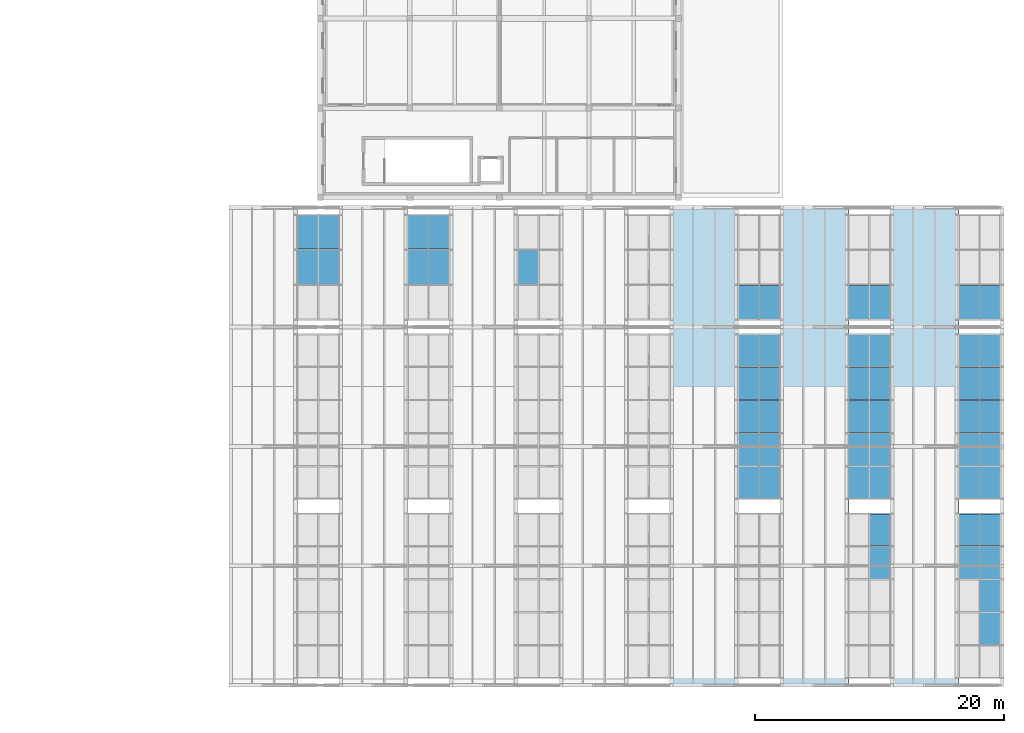
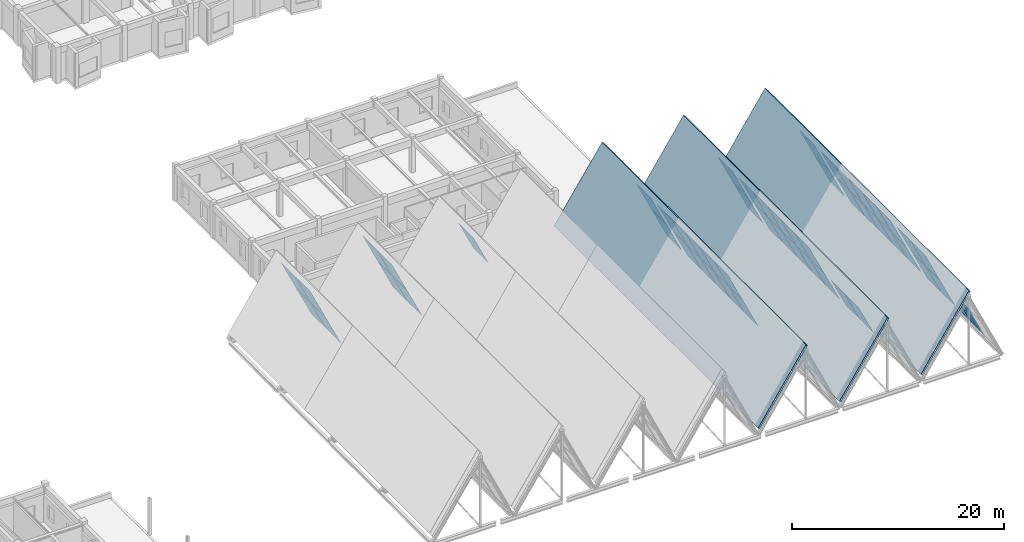
# One storey, part 71 of 99: 53 plates, 3 slabs, 11 elements without a shape of their own.
"""IFC4 building model written with IfcOpenShell, lengths in metres."""

from ifc_helpers import new_model, si_unit, direction, frame, origin, place, context, subcontext, project, spatial, polyline, outline, extrude, material, layer, layer_set, type_object, element, aggregate, save


model = new_model("IFC4")

# Units and contexts
model_context = context("Model", 3, precision=1e-05, world=origin(), true_north=direction((0.0, 1.0)))
body_context = subcontext(model_context, "Body", "Model", "MODEL_VIEW")
ifc_project = project(units=[si_unit("LENGTHUNIT", "METRE"), si_unit("AREAUNIT", "SQUARE_METRE"), si_unit("VOLUMEUNIT", "CUBIC_METRE"), si_unit("PLANEANGLEUNIT", "RADIAN"), si_unit("MASSUNIT", "GRAM", prefix="KILO")], contexts=[model_context])

# Site, building, storey
site_placement = place(None, origin())
site = spatial("IfcSite", under=ifc_project, at=site_placement, CompositionType="ELEMENT")
building_placement = place(site_placement, origin())
building = spatial("IfcBuilding", under=site, at=building_placement, Name="Bramveld Media Centre", CompositionType="ELEMENT")
storey_placement = place(building_placement, frame((0.0, 0.0, 13.800048828125)))
storey = spatial("IfcBuildingStorey", under=building, at=storey_placement, Name="L03", CompositionType="ELEMENT", Elevation=13.800048828125)

# Curtain wall, plates
ifc_material_1 = material(Name="Thermally broken anodized bronze aluminium unitized curtain wall with solar-control triple glazing", Category="aluminium")
curtain_wall_type_1 = type_object("IfcCurtainWallType", Name="CW-SAW-8500x8606", PredefinedType="NOTDEFINED", material=ifc_material_1)
curtain_wall_1_placement = place(storey_placement, origin())
curtain_wall_1 = element("IfcCurtainWall", 1, at=curtain_wall_1_placement, inside=storey, type_object=curtain_wall_type_1, Name="V1 sawtooth north-light clerestory B1-S3", PredefinedType="NOTDEFINED")
ifc_material_2 = material(Name="Solar-control triple insulating safety glass unit", Category="glass")
ifc_layer_1 = layer(ifc_material_2, 0.028076171875)
ifc_layer_set_1 = layer_set([ifc_layer_1], Name="Solar-control triple insulating safety glass unit")
plate_type = type_object("IfcPlateType", Name="CW-PAN-SLP", PredefinedType="CURTAIN_PANEL", material=ifc_layer_set_1)
plate_1_placement = place(storey_placement, frame((132.69677734375, 32.21826171875, 0.322509765625), z_axis=(0.9056675867, 0.0, 0.423988469657), x_axis=(0.0, 1.0, 0.0)))
plate_1 = element("IfcPlate", 2, at=plate_1_placement, type_object=plate_type, Name="CW-SA-8586 glass panel 2.1", PredefinedType="CURTAIN_PANEL", context=body_context, shape_type="SweptSolid", body=[
    extrude(outline(polyline([(0.0, 0.0), (2.763427734375, 0.0), (2.763427734375, 3.8764136412276113), (0.0, 3.8764136412276113), (0.0, 0.0)])), origin(), (0.0, 0.0, -1.0), 0.028076171875),
])
plate_2_placement = place(storey_placement, frame((131.023681640625, 32.21826171875, 3.896728515625), z_axis=(0.9056675867, 0.0, 0.423988469657), x_axis=(0.0, 1.0, 0.0)))
plate_2 = element("IfcPlate", 3, at=plate_2_placement, type_object=plate_type, Name="CW-SA-8586 glass panel 2.2", PredefinedType="CURTAIN_PANEL", context=body_context, shape_type="SweptSolid", body=[
    extrude(outline(polyline([(0.0, 0.0), (2.763427734375, 0.0), (2.763427734375, 3.8764136412276113), (0.0, 3.8764136412276113), (0.0, 0.0)])), origin(), (0.0, 0.0, -1.0), 0.028076171875),
])
plate_3_placement = place(storey_placement, frame((132.69677734375, 35.0517578125, 0.322509765625), z_axis=(0.9056675867, 0.0, 0.423988469657), x_axis=(0.0, 1.0, 0.0)))
plate_3 = element("IfcPlate", 4, at=plate_3_placement, type_object=plate_type, Name="CW-SA-8586 glass panel 3.1", PredefinedType="CURTAIN_PANEL", context=body_context, shape_type="SweptSolid", body=[
    extrude(outline(polyline([(0.0, 0.0), (2.728271484375, 0.0), (2.728271484375, 3.8764136412276113), (0.0, 3.8764136412276113), (0.0, 0.0)])), origin(), (0.0, 0.0, -1.0), 0.028076171875),
])
plate_4_placement = place(storey_placement, frame((131.023681640625, 35.0517578125, 3.896728515625), z_axis=(0.9056675867, 0.0, 0.423988469657), x_axis=(0.0, 1.0, 0.0)))
plate_4 = element("IfcPlate", 5, at=plate_4_placement, type_object=plate_type, Name="CW-SA-8586 glass panel 3.2", PredefinedType="CURTAIN_PANEL", context=body_context, shape_type="SweptSolid", body=[
    extrude(outline(polyline([(0.0, 0.0), (2.728271484375, 0.0), (2.728271484375, 3.8764136412276113), (0.0, 3.8764136412276113), (0.0, 0.0)])), origin(), (0.0, 0.0, -1.0), 0.028076171875),
])
aggregate(curtain_wall_1, [plate_1, plate_2, plate_3, plate_4])

curtain_wall_2_placement = place(storey_placement, origin())
curtain_wall_2 = element("IfcCurtainWall", 6, at=curtain_wall_2_placement, inside=storey, type_object=curtain_wall_type_1, Name="V1 sawtooth north-light clerestory B2-S3", PredefinedType="NOTDEFINED")
plate_5_placement = place(storey_placement, frame((141.553955078125, 32.21826171875, 0.322509765625), z_axis=(0.9056675867, 0.0, 0.423988469657), x_axis=(0.0, 1.0, 0.0)))
plate_5 = element("IfcPlate", 7, at=plate_5_placement, type_object=plate_type, Name="CW-SA-8586 glass panel 2.1", PredefinedType="CURTAIN_PANEL", context=body_context, shape_type="SweptSolid", body=[
    extrude(outline(polyline([(0.0, 0.0), (2.763427734375, 0.0), (2.763427734375, 3.8764136412276113), (0.0, 3.8764136412276113), (0.0, 0.0)])), origin(), (0.0, 0.0, -1.0), 0.028076171875),
])
plate_6_placement = place(storey_placement, frame((139.880859375, 32.21826171875, 3.896728515625), z_axis=(0.9056675867, 0.0, 0.423988469657), x_axis=(0.0, 1.0, 0.0)))
plate_6 = element("IfcPlate", 8, at=plate_6_placement, type_object=plate_type, Name="CW-SA-8586 glass panel 2.2", PredefinedType="CURTAIN_PANEL", context=body_context, shape_type="SweptSolid", body=[
    extrude(outline(polyline([(0.0, 0.0), (2.763427734375, 0.0), (2.763427734375, 3.8764136412276113), (0.0, 3.8764136412276113), (0.0, 0.0)])), origin(), (0.0, 0.0, -1.0), 0.028076171875),
])
plate_7_placement = place(storey_placement, frame((141.553955078125, 35.0517578125, 0.322509765625), z_axis=(0.9056675867, 0.0, 0.423988469657), x_axis=(0.0, 1.0, 0.0)))
plate_7 = element("IfcPlate", 9, at=plate_7_placement, type_object=plate_type, Name="CW-SA-8586 glass panel 3.1", PredefinedType="CURTAIN_PANEL", context=body_context, shape_type="SweptSolid", body=[
    extrude(outline(polyline([(0.0, 0.0), (2.728271484375, 0.0), (2.728271484375, 3.8764136412276113), (0.0, 3.8764136412276113), (0.0, 0.0)])), origin(), (0.0, 0.0, -1.0), 0.028076171875),
])
plate_8_placement = place(storey_placement, frame((139.880859375, 35.0517578125, 3.896728515625), z_axis=(0.9056675867, 0.0, 0.423988469657), x_axis=(0.0, 1.0, 0.0)))
plate_8 = element("IfcPlate", 10, at=plate_8_placement, type_object=plate_type, Name="CW-SA-8586 glass panel 3.2", PredefinedType="CURTAIN_PANEL", context=body_context, shape_type="SweptSolid", body=[
    extrude(outline(polyline([(0.0, 0.0), (2.728271484375, 0.0), (2.728271484375, 3.8764136412276113), (0.0, 3.8764136412276113), (0.0, 0.0)])), origin(), (0.0, 0.0, -1.0), 0.028076171875),
])
aggregate(curtain_wall_2, [plate_5, plate_6, plate_7, plate_8])

# Curtain wall, plate
curtain_wall_3_placement = place(storey_placement, origin())
curtain_wall_3 = element("IfcCurtainWall", 11, at=curtain_wall_3_placement, inside=storey, type_object=curtain_wall_type_1, Name="V1 sawtooth north-light clerestory B3-S3", PredefinedType="NOTDEFINED")
plate_9_placement = place(storey_placement, frame((148.738037109375, 32.21826171875, 3.896728515625), z_axis=(0.9056675867, 0.0, 0.423988469657), x_axis=(0.0, 1.0, 0.0)))
plate_9 = element("IfcPlate", 12, at=plate_9_placement, type_object=plate_type, Name="CW-SA-8586 glass panel 2.2", PredefinedType="CURTAIN_PANEL", context=body_context, shape_type="SweptSolid", body=[
    extrude(outline(polyline([(0.0, 0.0), (2.763427734375, 0.0), (2.763427734375, 3.8764136412276113), (0.0, 3.8764136412276113), (0.0, 0.0)])), origin(), (0.0, 0.0, -1.0), 0.028076171875),
])
aggregate(curtain_wall_3, [plate_9])

# Curtain wall, plates
ifc_material_3 = material(Name="Thermally broken anodized bronze aluminium unitized curtain wall with solar-control triple glazing", Category="aluminium")
curtain_wall_type_2 = type_object("IfcCurtainWallType", Name="CW-SAW-13300x8606", PredefinedType="NOTDEFINED", material=ifc_material_3)
curtain_wall_4_placement = place(storey_placement, origin())
curtain_wall_4 = element("IfcCurtainWall", 13, at=curtain_wall_4_placement, inside=storey, type_object=curtain_wall_type_2, Name="V1 sawtooth north-light clerestory B5-S2", PredefinedType="NOTDEFINED")
plate_10_placement = place(storey_placement, frame((168.12548828125, 15.02001953125, 0.322509765625), z_axis=(0.9056675867, 0.0, 0.423988469657), x_axis=(0.0, 1.0, 0.0)))
plate_10 = element("IfcPlate", 14, at=plate_10_placement, type_object=plate_type, Name="CW-SA-13386 glass panel 1.1", PredefinedType="CURTAIN_PANEL", context=body_context, shape_type="SweptSolid", body=[
    extrude(outline(polyline([(0.0, 0.0), (2.554931640625, 0.0), (2.554931640625, 3.8764136412276113), (0.0, 3.8764136412276113), (0.0, 0.0)])), origin(), (0.0, 0.0, -1.0), 0.028076171875),
])
plate_11_placement = place(storey_placement, frame((166.452392578125, 15.02001953125, 3.896728515625), z_axis=(0.9056675867, 0.0, 0.423988469657), x_axis=(0.0, 1.0, 0.0)))
plate_11 = element("IfcPlate", 15, at=plate_11_placement, type_object=plate_type, Name="CW-SA-13386 glass panel 1.2", PredefinedType="CURTAIN_PANEL", context=body_context, shape_type="SweptSolid", body=[
    extrude(outline(polyline([(0.0, 0.0), (2.554931640625, 0.0), (2.554931640625, 3.8764136412276113), (0.0, 3.8764136412276113), (0.0, 0.0)])), origin(), (0.0, 0.0, -1.0), 0.028076171875),
])
plate_12_placement = place(storey_placement, frame((168.12548828125, 17.64501953125, 0.322509765625), z_axis=(0.9056675867, 0.0, 0.423988469657), x_axis=(0.0, 1.0, 0.0)))
plate_12 = element("IfcPlate", 16, at=plate_12_placement, type_object=plate_type, Name="CW-SA-13386 glass panel 2.1", PredefinedType="CURTAIN_PANEL", context=body_context, shape_type="SweptSolid", body=[
    extrude(outline(polyline([(0.0, 0.0), (2.590087890625, 0.0), (2.590087890625, 3.876413641227611), (0.0, 3.876413641227611), (0.0, 0.0)])), origin(), (0.0, 0.0, -1.0), 0.028076171875),
])
plate_13_placement = place(storey_placement, frame((166.452392578125, 17.64501953125, 3.896728515625), z_axis=(0.9056675867, 0.0, 0.423988469657), x_axis=(0.0, 1.0, 0.0)))
plate_13 = element("IfcPlate", 17, at=plate_13_placement, type_object=plate_type, Name="CW-SA-13386 glass panel 2.2", PredefinedType="CURTAIN_PANEL", context=body_context, shape_type="SweptSolid", body=[
    extrude(outline(polyline([(0.0, 0.0), (2.590087890625, 0.0), (2.590087890625, 3.876413641227611), (0.0, 3.876413641227611), (0.0, 0.0)])), origin(), (0.0, 0.0, -1.0), 0.028076171875),
])
plate_14_placement = place(storey_placement, frame((168.12548828125, 20.304931640625, 0.322509765625), z_axis=(0.9056675867, 0.0, 0.423988469657), x_axis=(0.0, 1.0, 0.0)))
plate_14 = element("IfcPlate", 18, at=plate_14_placement, type_object=plate_type, Name="CW-SA-13386 glass panel 3.1", PredefinedType="CURTAIN_PANEL", context=body_context, shape_type="SweptSolid", body=[
    extrude(outline(polyline([(0.0, 0.0), (2.590087890625, 0.0), (2.590087890625, 3.876413641227611), (0.0, 3.876413641227611), (0.0, 0.0)])), origin(), (0.0, 0.0, -1.0), 0.028076171875),
])
plate_15_placement = place(storey_placement, frame((166.452392578125, 20.304931640625, 3.896728515625), z_axis=(0.9056675867, 0.0, 0.423988469657), x_axis=(0.0, 1.0, 0.0)))
plate_15 = element("IfcPlate", 19, at=plate_15_placement, type_object=plate_type, Name="CW-SA-13386 glass panel 3.2", PredefinedType="CURTAIN_PANEL", context=body_context, shape_type="SweptSolid", body=[
    extrude(outline(polyline([(0.0, 0.0), (2.590087890625, 0.0), (2.590087890625, 3.876413641227611), (0.0, 3.876413641227611), (0.0, 0.0)])), origin(), (0.0, 0.0, -1.0), 0.028076171875),
])
plate_16_placement = place(storey_placement, frame((168.12548828125, 22.965087890625, 0.322509765625), z_axis=(0.9056675867, 0.0, 0.423988469657), x_axis=(0.0, 1.0, 0.0)))
plate_16 = element("IfcPlate", 20, at=plate_16_placement, type_object=plate_type, Name="CW-SA-13386 glass panel 4.1", PredefinedType="CURTAIN_PANEL", context=body_context, shape_type="SweptSolid", body=[
    extrude(outline(polyline([(0.0, 0.0), (2.58984375, 0.0), (2.58984375, 3.876413641227611), (0.0, 3.876413641227611), (0.0, 0.0)])), origin(), (0.0, 0.0, -1.0), 0.028076171875),
])
plate_17_placement = place(storey_placement, frame((166.452392578125, 22.965087890625, 3.896728515625), z_axis=(0.9056675867, 0.0, 0.423988469657), x_axis=(0.0, 1.0, 0.0)))
plate_17 = element("IfcPlate", 21, at=plate_17_placement, type_object=plate_type, Name="CW-SA-13386 glass panel 4.2", PredefinedType="CURTAIN_PANEL", context=body_context, shape_type="SweptSolid", body=[
    extrude(outline(polyline([(0.0, 0.0), (2.58984375, 0.0), (2.58984375, 3.876413641227611), (0.0, 3.876413641227611), (0.0, 0.0)])), origin(), (0.0, 0.0, -1.0), 0.028076171875),
])
plate_18_placement = place(storey_placement, frame((168.12548828125, 25.625, 0.322509765625), z_axis=(0.9056675867, 0.0, 0.423988469657), x_axis=(0.0, 1.0, 0.0)))
plate_18 = element("IfcPlate", 22, at=plate_18_placement, type_object=plate_type, Name="CW-SA-13386 glass panel 5.1", PredefinedType="CURTAIN_PANEL", context=body_context, shape_type="SweptSolid", body=[
    extrude(outline(polyline([(0.0, 0.0), (2.554931640625, 0.0), (2.554931640625, 3.8764136412276113), (0.0, 3.8764136412276113), (0.0, 0.0)])), origin(), (0.0, 0.0, -1.0), 0.028076171875),
])
plate_19_placement = place(storey_placement, frame((166.452392578125, 25.625, 3.896728515625), z_axis=(0.9056675867, 0.0, 0.423988469657), x_axis=(0.0, 1.0, 0.0)))
plate_19 = element("IfcPlate", 23, at=plate_19_placement, type_object=plate_type, Name="CW-SA-13386 glass panel 5.2", PredefinedType="CURTAIN_PANEL", context=body_context, shape_type="SweptSolid", body=[
    extrude(outline(polyline([(0.0, 0.0), (2.554931640625, 0.0), (2.554931640625, 3.8764136412276113), (0.0, 3.8764136412276113), (0.0, 0.0)])), origin(), (0.0, 0.0, -1.0), 0.028076171875),
])
aggregate(curtain_wall_4, [plate_10, plate_11, plate_12, plate_13, plate_14, plate_15, plate_16, plate_17, plate_18, plate_19])

curtain_wall_5_placement = place(storey_placement, origin())
curtain_wall_5 = element("IfcCurtainWall", 24, at=curtain_wall_5_placement, inside=storey, type_object=curtain_wall_type_1, Name="V1 sawtooth north-light clerestory B5-S3", PredefinedType="NOTDEFINED")
plate_20_placement = place(storey_placement, frame((168.12548828125, 29.419921875, 0.322509765625), z_axis=(0.9056675867, 0.0, 0.423988469657), x_axis=(0.0, 1.0, 0.0)))
plate_20 = element("IfcPlate", 25, at=plate_20_placement, type_object=plate_type, Name="CW-SA-8586 glass panel 1.1", PredefinedType="CURTAIN_PANEL", context=body_context, shape_type="SweptSolid", body=[
    extrude(outline(polyline([(0.0, 0.0), (2.728271484375, 0.0), (2.728271484375, 3.8764136412276113), (0.0, 3.8764136412276113), (0.0, 0.0)])), origin(), (0.0, 0.0, -1.0), 0.028076171875),
])
plate_21_placement = place(storey_placement, frame((166.452392578125, 29.419921875, 3.896728515625), z_axis=(0.9056675867, 0.0, 0.423988469657), x_axis=(0.0, 1.0, 0.0)))
plate_21 = element("IfcPlate", 26, at=plate_21_placement, type_object=plate_type, Name="CW-SA-8586 glass panel 1.2", PredefinedType="CURTAIN_PANEL", context=body_context, shape_type="SweptSolid", body=[
    extrude(outline(polyline([(0.0, 0.0), (2.728271484375, 0.0), (2.728271484375, 3.8764136412276113), (0.0, 3.8764136412276113), (0.0, 0.0)])), origin(), (0.0, 0.0, -1.0), 0.028076171875),
])
aggregate(curtain_wall_5, [plate_20, plate_21])

curtain_wall_6_placement = place(storey_placement, origin())
curtain_wall_6 = element("IfcCurtainWall", 27, at=curtain_wall_6_placement, inside=storey, type_object=curtain_wall_type_2, Name="V1 sawtooth north-light clerestory B6-S1", PredefinedType="NOTDEFINED")
plate_22_placement = place(storey_placement, frame((176.982666015625, 8.56494140625, 0.322509765625), z_axis=(0.9056675867, 0.0, 0.423988469657), x_axis=(0.0, 1.0, 0.0)))
plate_22 = element("IfcPlate", 28, at=plate_22_placement, type_object=plate_type, Name="CW-SA-13386 glass panel 4.1", PredefinedType="CURTAIN_PANEL", context=body_context, shape_type="SweptSolid", body=[
    extrude(outline(polyline([(0.0, 0.0), (2.590087890625, 0.0), (2.590087890625, 3.876413641227611), (0.0, 3.876413641227611), (0.0, 0.0)])), origin(), (0.0, 0.0, -1.0), 0.028076171875),
])
plate_23_placement = place(storey_placement, frame((176.982666015625, 11.22509765625, 0.322509765625), z_axis=(0.9056675867, 0.0, 0.423988469657), x_axis=(0.0, 1.0, 0.0)))
plate_23 = element("IfcPlate", 29, at=plate_23_placement, type_object=plate_type, Name="CW-SA-13386 glass panel 5.1", PredefinedType="CURTAIN_PANEL", context=body_context, shape_type="SweptSolid", body=[
    extrude(outline(polyline([(0.0, 0.0), (2.554931640625, 0.0), (2.554931640625, 3.8764136412276113), (0.0, 3.8764136412276113), (0.0, 0.0)])), origin(), (0.0, 0.0, -1.0), 0.028076171875),
])
aggregate(curtain_wall_6, [plate_22, plate_23])

curtain_wall_7_placement = place(storey_placement, origin())
curtain_wall_7 = element("IfcCurtainWall", 30, at=curtain_wall_7_placement, inside=storey, type_object=curtain_wall_type_2, Name="V1 sawtooth north-light clerestory B6-S2", PredefinedType="NOTDEFINED")
plate_24_placement = place(storey_placement, frame((176.982666015625, 15.02001953125, 0.322509765625), z_axis=(0.9056675867, 0.0, 0.423988469657), x_axis=(0.0, 1.0, 0.0)))
plate_24 = element("IfcPlate", 31, at=plate_24_placement, type_object=plate_type, Name="CW-SA-13386 glass panel 1.1", PredefinedType="CURTAIN_PANEL", context=body_context, shape_type="SweptSolid", body=[
    extrude(outline(polyline([(0.0, 0.0), (2.554931640625, 0.0), (2.554931640625, 3.8764136412276113), (0.0, 3.8764136412276113), (0.0, 0.0)])), origin(), (0.0, 0.0, -1.0), 0.028076171875),
])
plate_25_placement = place(storey_placement, frame((175.309326171875, 15.02001953125, 3.896728515625), z_axis=(0.905691770132, 0.0, 0.423936808398), x_axis=(0.0, 1.0, 0.0)))
plate_25 = element("IfcPlate", 32, at=plate_25_placement, type_object=plate_type, Name="CW-SA-13386 glass panel 1.2", PredefinedType="CURTAIN_PANEL", context=body_context, shape_type="SweptSolid", body=[
    extrude(outline(polyline([(0.0, 0.0), (2.554931640625, 0.0), (2.554931640625, 3.876310134723858), (0.0, 3.876310134723858), (0.0, 0.0)])), origin(), (0.0, 0.0, -1.0), 0.028076171875),
])
plate_26_placement = place(storey_placement, frame((176.982666015625, 17.64501953125, 0.322509765625), z_axis=(0.9056675867, 0.0, 0.423988469657), x_axis=(0.0, 1.0, 0.0)))
plate_26 = element("IfcPlate", 33, at=plate_26_placement, type_object=plate_type, Name="CW-SA-13386 glass panel 2.1", PredefinedType="CURTAIN_PANEL", context=body_context, shape_type="SweptSolid", body=[
    extrude(outline(polyline([(0.0, 0.0), (2.590087890625, 0.0), (2.590087890625, 3.876413641227611), (0.0, 3.876413641227611), (0.0, 0.0)])), origin(), (0.0, 0.0, -1.0), 0.028076171875),
])
plate_27_placement = place(storey_placement, frame((175.309326171875, 17.64501953125, 3.896728515625), z_axis=(0.905691770132, 0.0, 0.423936808398), x_axis=(0.0, 1.0, 0.0)))
plate_27 = element("IfcPlate", 34, at=plate_27_placement, type_object=plate_type, Name="CW-SA-13386 glass panel 2.2", PredefinedType="CURTAIN_PANEL", context=body_context, shape_type="SweptSolid", body=[
    extrude(outline(polyline([(0.0, 0.0), (2.590087890625, 0.0), (2.590087890625, 3.876310134723858), (0.0, 3.876310134723858), (0.0, 0.0)])), origin(), (0.0, 0.0, -1.0), 0.028076171875),
])
plate_28_placement = place(storey_placement, frame((176.982666015625, 20.304931640625, 0.322509765625), z_axis=(0.9056675867, 0.0, 0.423988469657), x_axis=(0.0, 1.0, 0.0)))
plate_28 = element("IfcPlate", 35, at=plate_28_placement, type_object=plate_type, Name="CW-SA-13386 glass panel 3.1", PredefinedType="CURTAIN_PANEL", context=body_context, shape_type="SweptSolid", body=[
    extrude(outline(polyline([(0.0, 0.0), (2.590087890625, 0.0), (2.590087890625, 3.876413641227611), (0.0, 3.876413641227611), (0.0, 0.0)])), origin(), (0.0, 0.0, -1.0), 0.028076171875),
])
plate_29_placement = place(storey_placement, frame((175.309326171875, 20.304931640625, 3.896728515625), z_axis=(0.905691770132, 0.0, 0.423936808398), x_axis=(0.0, 1.0, 0.0)))
plate_29 = element("IfcPlate", 36, at=plate_29_placement, type_object=plate_type, Name="CW-SA-13386 glass panel 3.2", PredefinedType="CURTAIN_PANEL", context=body_context, shape_type="SweptSolid", body=[
    extrude(outline(polyline([(0.0, 0.0), (2.590087890625, 0.0), (2.590087890625, 3.876310134723858), (0.0, 3.876310134723858), (0.0, 0.0)])), origin(), (0.0, 0.0, -1.0), 0.028076171875),
])
plate_30_placement = place(storey_placement, frame((176.982666015625, 22.965087890625, 0.322509765625), z_axis=(0.9056675867, 0.0, 0.423988469657), x_axis=(0.0, 1.0, 0.0)))
plate_30 = element("IfcPlate", 37, at=plate_30_placement, type_object=plate_type, Name="CW-SA-13386 glass panel 4.1", PredefinedType="CURTAIN_PANEL", context=body_context, shape_type="SweptSolid", body=[
    extrude(outline(polyline([(0.0, 0.0), (2.58984375, 0.0), (2.58984375, 3.876413641227611), (0.0, 3.876413641227611), (0.0, 0.0)])), origin(), (0.0, 0.0, -1.0), 0.028076171875),
])
plate_31_placement = place(storey_placement, frame((175.309326171875, 22.965087890625, 3.896728515625), z_axis=(0.905691770132, 0.0, 0.423936808398), x_axis=(0.0, 1.0, 0.0)))
plate_31 = element("IfcPlate", 38, at=plate_31_placement, type_object=plate_type, Name="CW-SA-13386 glass panel 4.2", PredefinedType="CURTAIN_PANEL", context=body_context, shape_type="SweptSolid", body=[
    extrude(outline(polyline([(0.0, 0.0), (2.58984375, 0.0), (2.58984375, 3.876310134723858), (0.0, 3.876310134723858), (0.0, 0.0)])), origin(), (0.0, 0.0, -1.0), 0.028076171875),
])
plate_32_placement = place(storey_placement, frame((176.982666015625, 25.625, 0.322509765625), z_axis=(0.9056675867, 0.0, 0.423988469657), x_axis=(0.0, 1.0, 0.0)))
plate_32 = element("IfcPlate", 39, at=plate_32_placement, type_object=plate_type, Name="CW-SA-13386 glass panel 5.1", PredefinedType="CURTAIN_PANEL", context=body_context, shape_type="SweptSolid", body=[
    extrude(outline(polyline([(0.0, 0.0), (2.554931640625, 0.0), (2.554931640625, 3.8764136412276113), (0.0, 3.8764136412276113), (0.0, 0.0)])), origin(), (0.0, 0.0, -1.0), 0.028076171875),
])
plate_33_placement = place(storey_placement, frame((175.309326171875, 25.625, 3.896728515625), z_axis=(0.905691770132, 0.0, 0.423936808398), x_axis=(0.0, 1.0, 0.0)))
plate_33 = element("IfcPlate", 40, at=plate_33_placement, type_object=plate_type, Name="CW-SA-13386 glass panel 5.2", PredefinedType="CURTAIN_PANEL", context=body_context, shape_type="SweptSolid", body=[
    extrude(outline(polyline([(0.0, 0.0), (2.554931640625, 0.0), (2.554931640625, 3.876310134723858), (0.0, 3.876310134723858), (0.0, 0.0)])), origin(), (0.0, 0.0, -1.0), 0.028076171875),
])
aggregate(curtain_wall_7, [plate_24, plate_25, plate_26, plate_27, plate_28, plate_29, plate_30, plate_31, plate_32, plate_33])

curtain_wall_8_placement = place(storey_placement, origin())
curtain_wall_8 = element("IfcCurtainWall", 41, at=curtain_wall_8_placement, inside=storey, type_object=curtain_wall_type_1, Name="V1 sawtooth north-light clerestory B6-S3", PredefinedType="NOTDEFINED")
plate_34_placement = place(storey_placement, frame((176.982666015625, 29.419921875, 0.322509765625), z_axis=(0.9056675867, 0.0, 0.423988469657), x_axis=(0.0, 1.0, 0.0)))
plate_34 = element("IfcPlate", 42, at=plate_34_placement, type_object=plate_type, Name="CW-SA-8586 glass panel 1.1", PredefinedType="CURTAIN_PANEL", context=body_context, shape_type="SweptSolid", body=[
    extrude(outline(polyline([(0.0, 0.0), (2.728271484375, 0.0), (2.728271484375, 3.8764136412276113), (0.0, 3.8764136412276113), (0.0, 0.0)])), origin(), (0.0, 0.0, -1.0), 0.028076171875),
])
plate_35_placement = place(storey_placement, frame((175.309326171875, 29.419921875, 3.896728515625), z_axis=(0.905691770132, 0.0, 0.423936808398), x_axis=(0.0, 1.0, 0.0)))
plate_35 = element("IfcPlate", 43, at=plate_35_placement, type_object=plate_type, Name="CW-SA-8586 glass panel 1.2", PredefinedType="CURTAIN_PANEL", context=body_context, shape_type="SweptSolid", body=[
    extrude(outline(polyline([(0.0, 0.0), (2.728271484375, 0.0), (2.728271484375, 3.876310134723858), (0.0, 3.876310134723858), (0.0, 0.0)])), origin(), (0.0, 0.0, -1.0), 0.028076171875),
])
aggregate(curtain_wall_8, [plate_34, plate_35])

curtain_wall_9_placement = place(storey_placement, origin())
curtain_wall_9 = element("IfcCurtainWall", 44, at=curtain_wall_9_placement, inside=storey, type_object=curtain_wall_type_2, Name="V1 sawtooth north-light clerestory B7-S1", PredefinedType="NOTDEFINED")
plate_36_placement = place(storey_placement, frame((185.839599609375, 3.2451171875, 0.322509765625), z_axis=(0.905691770132, 0.0, 0.423936808398), x_axis=(0.0, 1.0, 0.0)))
plate_36 = element("IfcPlate", 45, at=plate_36_placement, type_object=plate_type, Name="CW-SA-13386 glass panel 2.1", PredefinedType="CURTAIN_PANEL", context=body_context, shape_type="SweptSolid", body=[
    extrude(outline(polyline([(0.0, 0.0), (2.58984375, 0.0), (2.58984375, 3.876310134723858), (0.0, 3.876310134723858), (0.0, 0.0)])), origin(), (0.0, 0.0, -1.0), 0.028076171875),
])
plate_37_placement = place(storey_placement, frame((185.839599609375, 5.905029296875, 0.322509765625), z_axis=(0.905691770132, 0.0, 0.423936808398), x_axis=(0.0, 1.0, 0.0)))
plate_37 = element("IfcPlate", 46, at=plate_37_placement, type_object=plate_type, Name="CW-SA-13386 glass panel 3.1", PredefinedType="CURTAIN_PANEL", context=body_context, shape_type="SweptSolid", body=[
    extrude(outline(polyline([(0.0, 0.0), (2.590087890625, 0.0), (2.590087890625, 3.876310134723858), (0.0, 3.876310134723858), (0.0, 0.0)])), origin(), (0.0, 0.0, -1.0), 0.028076171875),
])
plate_38_placement = place(storey_placement, frame((185.839599609375, 8.56494140625, 0.322509765625), z_axis=(0.905691770132, 0.0, 0.423936808398), x_axis=(0.0, 1.0, 0.0)))
plate_38 = element("IfcPlate", 47, at=plate_38_placement, type_object=plate_type, Name="CW-SA-13386 glass panel 4.1", PredefinedType="CURTAIN_PANEL", context=body_context, shape_type="SweptSolid", body=[
    extrude(outline(polyline([(0.0, 0.0), (2.590087890625, 0.0), (2.590087890625, 3.876310134723858), (0.0, 3.876310134723858), (0.0, 0.0)])), origin(), (0.0, 0.0, -1.0), 0.028076171875),
])
plate_39_placement = place(storey_placement, frame((184.16650390625, 8.56494140625, 3.896728515625), z_axis=(0.905691770132, 0.0, 0.423936808398), x_axis=(0.0, 1.0, 0.0)))
plate_39 = element("IfcPlate", 48, at=plate_39_placement, type_object=plate_type, Name="CW-SA-13386 glass panel 4.2", PredefinedType="CURTAIN_PANEL", context=body_context, shape_type="SweptSolid", body=[
    extrude(outline(polyline([(0.0, 0.0), (2.590087890625, 0.0), (2.590087890625, 3.876310134723858), (0.0, 3.876310134723858), (0.0, 0.0)])), origin(), (0.0, 0.0, -1.0), 0.028076171875),
])
plate_40_placement = place(storey_placement, frame((185.839599609375, 11.22509765625, 0.322509765625), z_axis=(0.905691770132, 0.0, 0.423936808398), x_axis=(0.0, 1.0, 0.0)))
plate_40 = element("IfcPlate", 49, at=plate_40_placement, type_object=plate_type, Name="CW-SA-13386 glass panel 5.1", PredefinedType="CURTAIN_PANEL", context=body_context, shape_type="SweptSolid", body=[
    extrude(outline(polyline([(0.0, 0.0), (2.554931640625, 0.0), (2.554931640625, 3.876310134723858), (0.0, 3.876310134723858), (0.0, 0.0)])), origin(), (0.0, 0.0, -1.0), 0.028076171875),
])
plate_41_placement = place(storey_placement, frame((184.16650390625, 11.22509765625, 3.896728515625), z_axis=(0.905691770132, 0.0, 0.423936808398), x_axis=(0.0, 1.0, 0.0)))
plate_41 = element("IfcPlate", 50, at=plate_41_placement, type_object=plate_type, Name="CW-SA-13386 glass panel 5.2", PredefinedType="CURTAIN_PANEL", context=body_context, shape_type="SweptSolid", body=[
    extrude(outline(polyline([(0.0, 0.0), (2.554931640625, 0.0), (2.554931640625, 3.876310134723858), (0.0, 3.876310134723858), (0.0, 0.0)])), origin(), (0.0, 0.0, -1.0), 0.028076171875),
])
aggregate(curtain_wall_9, [plate_36, plate_37, plate_38, plate_39, plate_40, plate_41])

curtain_wall_10_placement = place(storey_placement, origin())
curtain_wall_10 = element("IfcCurtainWall", 51, at=curtain_wall_10_placement, inside=storey, type_object=curtain_wall_type_2, Name="V1 sawtooth north-light clerestory B7-S2", PredefinedType="NOTDEFINED")
plate_42_placement = place(storey_placement, frame((185.839599609375, 15.02001953125, 0.322509765625), z_axis=(0.905691770132, 0.0, 0.423936808398), x_axis=(0.0, 1.0, 0.0)))
plate_42 = element("IfcPlate", 52, at=plate_42_placement, type_object=plate_type, Name="CW-SA-13386 glass panel 1.1", PredefinedType="CURTAIN_PANEL", context=body_context, shape_type="SweptSolid", body=[
    extrude(outline(polyline([(0.0, 0.0), (2.554931640625, 0.0), (2.554931640625, 3.876310134723858), (0.0, 3.876310134723858), (0.0, 0.0)])), origin(), (0.0, 0.0, -1.0), 0.028076171875),
])
plate_43_placement = place(storey_placement, frame((184.16650390625, 15.02001953125, 3.896728515625), z_axis=(0.905691770132, 0.0, 0.423936808398), x_axis=(0.0, 1.0, 0.0)))
plate_43 = element("IfcPlate", 53, at=plate_43_placement, type_object=plate_type, Name="CW-SA-13386 glass panel 1.2", PredefinedType="CURTAIN_PANEL", context=body_context, shape_type="SweptSolid", body=[
    extrude(outline(polyline([(0.0, 0.0), (2.554931640625, 0.0), (2.554931640625, 3.876310134723858), (0.0, 3.876310134723858), (0.0, 0.0)])), origin(), (0.0, 0.0, -1.0), 0.028076171875),
])
plate_44_placement = place(storey_placement, frame((185.839599609375, 17.64501953125, 0.322509765625), z_axis=(0.905691770132, 0.0, 0.423936808398), x_axis=(0.0, 1.0, 0.0)))
plate_44 = element("IfcPlate", 54, at=plate_44_placement, type_object=plate_type, Name="CW-SA-13386 glass panel 2.1", PredefinedType="CURTAIN_PANEL", context=body_context, shape_type="SweptSolid", body=[
    extrude(outline(polyline([(0.0, 0.0), (2.590087890625, 0.0), (2.590087890625, 3.876310134723858), (0.0, 3.876310134723858), (0.0, 0.0)])), origin(), (0.0, 0.0, -1.0), 0.028076171875),
])
plate_45_placement = place(storey_placement, frame((184.16650390625, 17.64501953125, 3.896728515625), z_axis=(0.905691770132, 0.0, 0.423936808398), x_axis=(0.0, 1.0, 0.0)))
plate_45 = element("IfcPlate", 55, at=plate_45_placement, type_object=plate_type, Name="CW-SA-13386 glass panel 2.2", PredefinedType="CURTAIN_PANEL", context=body_context, shape_type="SweptSolid", body=[
    extrude(outline(polyline([(0.0, 0.0), (2.590087890625, 0.0), (2.590087890625, 3.876310134723858), (0.0, 3.876310134723858), (0.0, 0.0)])), origin(), (0.0, 0.0, -1.0), 0.028076171875),
])
plate_46_placement = place(storey_placement, frame((185.839599609375, 20.304931640625, 0.322509765625), z_axis=(0.905691770132, 0.0, 0.423936808398), x_axis=(0.0, 1.0, 0.0)))
plate_46 = element("IfcPlate", 56, at=plate_46_placement, type_object=plate_type, Name="CW-SA-13386 glass panel 3.1", PredefinedType="CURTAIN_PANEL", context=body_context, shape_type="SweptSolid", body=[
    extrude(outline(polyline([(0.0, 0.0), (2.590087890625, 0.0), (2.590087890625, 3.876310134723858), (0.0, 3.876310134723858), (0.0, 0.0)])), origin(), (0.0, 0.0, -1.0), 0.028076171875),
])
plate_47_placement = place(storey_placement, frame((184.16650390625, 20.304931640625, 3.896728515625), z_axis=(0.905691770132, 0.0, 0.423936808398), x_axis=(0.0, 1.0, 0.0)))
plate_47 = element("IfcPlate", 57, at=plate_47_placement, type_object=plate_type, Name="CW-SA-13386 glass panel 3.2", PredefinedType="CURTAIN_PANEL", context=body_context, shape_type="SweptSolid", body=[
    extrude(outline(polyline([(0.0, 0.0), (2.590087890625, 0.0), (2.590087890625, 3.876310134723858), (0.0, 3.876310134723858), (0.0, 0.0)])), origin(), (0.0, 0.0, -1.0), 0.028076171875),
])
plate_48_placement = place(storey_placement, frame((185.839599609375, 22.965087890625, 0.322509765625), z_axis=(0.905691770132, 0.0, 0.423936808398), x_axis=(0.0, 1.0, 0.0)))
plate_48 = element("IfcPlate", 58, at=plate_48_placement, type_object=plate_type, Name="CW-SA-13386 glass panel 4.1", PredefinedType="CURTAIN_PANEL", context=body_context, shape_type="SweptSolid", body=[
    extrude(outline(polyline([(0.0, 0.0), (2.58984375, 0.0), (2.58984375, 3.876310134723858), (0.0, 3.876310134723858), (0.0, 0.0)])), origin(), (0.0, 0.0, -1.0), 0.028076171875),
])
plate_49_placement = place(storey_placement, frame((184.16650390625, 22.965087890625, 3.896728515625), z_axis=(0.905691770132, 0.0, 0.423936808398), x_axis=(0.0, 1.0, 0.0)))
plate_49 = element("IfcPlate", 59, at=plate_49_placement, type_object=plate_type, Name="CW-SA-13386 glass panel 4.2", PredefinedType="CURTAIN_PANEL", context=body_context, shape_type="SweptSolid", body=[
    extrude(outline(polyline([(0.0, 0.0), (2.58984375, 0.0), (2.58984375, 3.876310134723858), (0.0, 3.876310134723858), (0.0, 0.0)])), origin(), (0.0, 0.0, -1.0), 0.028076171875),
])
plate_50_placement = place(storey_placement, frame((185.839599609375, 25.625, 0.322509765625), z_axis=(0.905691770132, 0.0, 0.423936808398), x_axis=(0.0, 1.0, 0.0)))
plate_50 = element("IfcPlate", 60, at=plate_50_placement, type_object=plate_type, Name="CW-SA-13386 glass panel 5.1", PredefinedType="CURTAIN_PANEL", context=body_context, shape_type="SweptSolid", body=[
    extrude(outline(polyline([(0.0, 0.0), (2.554931640625, 0.0), (2.554931640625, 3.876310134723858), (0.0, 3.876310134723858), (0.0, 0.0)])), origin(), (0.0, 0.0, -1.0), 0.028076171875),
])
plate_51_placement = place(storey_placement, frame((184.16650390625, 25.625, 3.896728515625), z_axis=(0.905691770132, 0.0, 0.423936808398), x_axis=(0.0, 1.0, 0.0)))
plate_51 = element("IfcPlate", 61, at=plate_51_placement, type_object=plate_type, Name="CW-SA-13386 glass panel 5.2", PredefinedType="CURTAIN_PANEL", context=body_context, shape_type="SweptSolid", body=[
    extrude(outline(polyline([(0.0, 0.0), (2.554931640625, 0.0), (2.554931640625, 3.876310134723858), (0.0, 3.876310134723858), (0.0, 0.0)])), origin(), (0.0, 0.0, -1.0), 0.028076171875),
])
aggregate(curtain_wall_10, [plate_42, plate_43, plate_44, plate_45, plate_46, plate_47, plate_48, plate_49, plate_50, plate_51])

curtain_wall_11_placement = place(storey_placement, origin())
curtain_wall_11 = element("IfcCurtainWall", 62, at=curtain_wall_11_placement, inside=storey, type_object=curtain_wall_type_1, Name="V1 sawtooth north-light clerestory B7-S3", PredefinedType="NOTDEFINED")
plate_52_placement = place(storey_placement, frame((185.839599609375, 29.419921875, 0.322509765625), z_axis=(0.905691770132, 0.0, 0.423936808398), x_axis=(0.0, 1.0, 0.0)))
plate_52 = element("IfcPlate", 63, at=plate_52_placement, type_object=plate_type, Name="CW-SA-8586 glass panel 1.1", PredefinedType="CURTAIN_PANEL", context=body_context, shape_type="SweptSolid", body=[
    extrude(outline(polyline([(0.0, 0.0), (2.728271484375, 0.0), (2.728271484375, 3.876310134723858), (0.0, 3.876310134723858), (0.0, 0.0)])), origin(), (0.0, 0.0, -1.0), 0.028076171875),
])
plate_53_placement = place(storey_placement, frame((184.16650390625, 29.419921875, 3.896728515625), z_axis=(0.905691770132, 0.0, 0.423936808398), x_axis=(0.0, 1.0, 0.0)))
plate_53 = element("IfcPlate", 64, at=plate_53_placement, type_object=plate_type, Name="CW-SA-8586 glass panel 1.2", PredefinedType="CURTAIN_PANEL", context=body_context, shape_type="SweptSolid", body=[
    extrude(outline(polyline([(0.0, 0.0), (2.728271484375, 0.0), (2.728271484375, 3.876310134723858), (0.0, 3.876310134723858), (0.0, 0.0)])), origin(), (0.0, 0.0, -1.0), 0.028076171875),
])
aggregate(curtain_wall_11, [plate_52, plate_53])

# Slabs
ifc_material_4 = material(Name="Precast concrete C40/50", Category="concrete")
ifc_layer_2 = layer(ifc_material_4, 0.2099609375)
ifc_layer_set_2 = layer_set([ifc_layer_2], Name="Precast concrete C40/50")
slab_type = type_object("IfcSlabType", Name="ROOF-SLAB-210-01", PredefinedType="ROOF", material=ifc_layer_set_2)
slab_placement = place(storey_placement, frame((159.4287109375, 0.0, 0.6796875), z_axis=(-0.8310805524, 0.0, 0.55615206142), x_axis=(0.55615206142, 0.0, 0.8310805524)))
element("IfcSlab", 65, at=slab_placement, inside=storey, type_object=slab_type, Name="V1 sawtooth acoustic roof slab bay 5", PredefinedType="ROOF", context=body_context, shape_type="SweptSolid", body=[
    extrude(outline(polyline([(0.0, 0.0), (9.385430576611935, 0.0), (9.385430576611935, 38.39990234375), (0.0, 38.39990234375), (0.0, 0.0)])), origin(), (0.0, 0.0, -1.0), 0.2099609375),
])
for number, where, z_axis, x_axis, name in (
    (66, (168.28564453125, 0.0, 0.6796875), (-0.831068529112, 0.0, 0.556170027887), (0.556170027887, 0.0, 0.831068529112), "V1 sawtooth acoustic roof slab bay 6"),
    (67, (177.142822265625, 0.0, 0.6796875), (-0.831068529112, 0.0, 0.556170027887), (0.556170027887, 0.0, 0.831068529112), "V1 sawtooth acoustic roof slab bay 7"),
):
    element("IfcSlab", number, at=place(storey_placement, frame(where, z_axis=z_axis, x_axis=x_axis)), inside=storey, type_object=slab_type, Name=name, PredefinedType="ROOF", context=body_context, shape_type="SweptSolid", body=[
        extrude(outline(polyline([(0.0, 0.0), (9.385566358116995, 0.0), (9.385566358116995, 38.39990234375), (0.0, 38.39990234375), (0.0, 0.0)])), origin(), (0.0, 0.0, -1.0), 0.2099609375),
    ])

save(model, "model.ifc")
